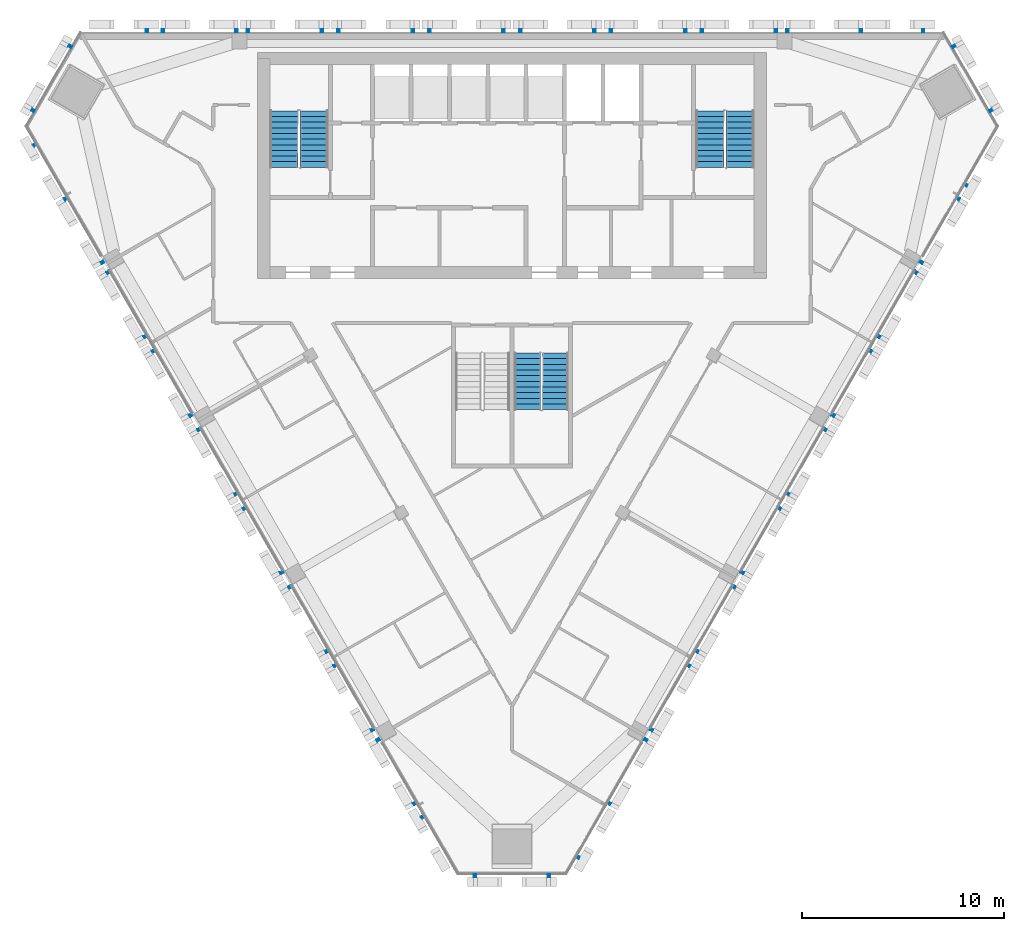
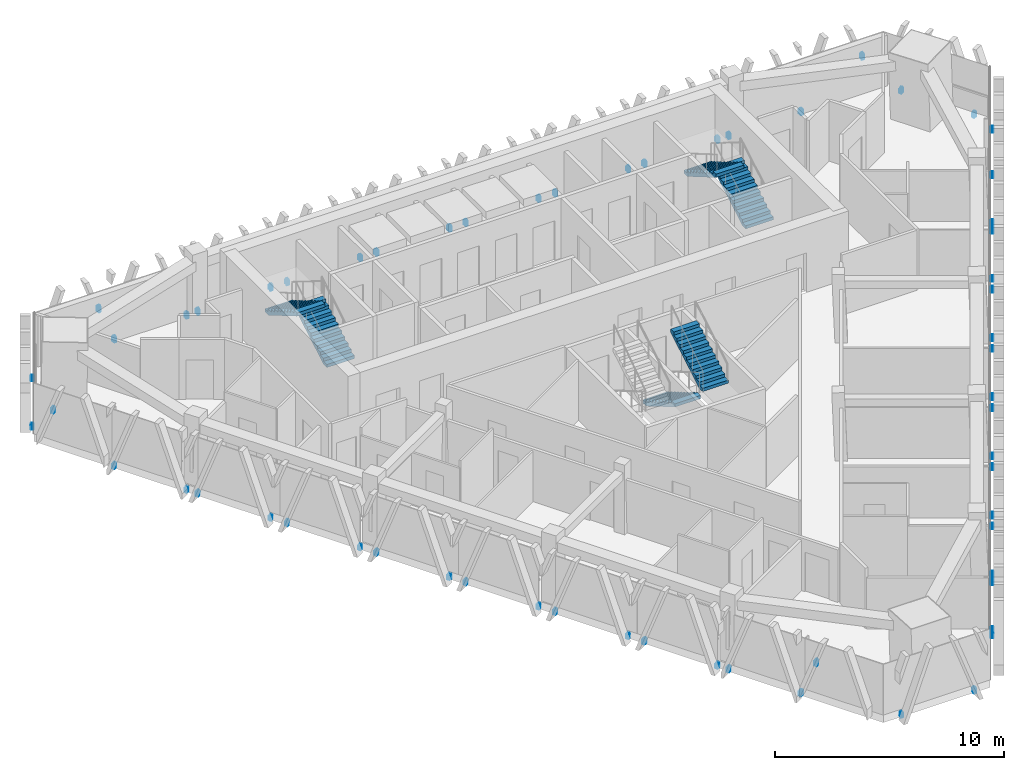
# One storey, part 11 of 14: 6 discrete accessories, 6 stair flights, 3 elements without a shape of their own.
"""IFC4 building model written with IfcOpenShell, lengths in metres."""

from ifc_helpers import new_model, si_unit, direction, frame, origin, place, context, subcontext, project, spatial, polyline, outline, extrude, source, transform, mapped, material, type_object, element, aggregate, save


model = new_model("IFC4")

# Units and contexts
model_context = context("Model", 3, precision=1e-05, world=origin(), true_north=direction((0.0, 1.0)))
body_context = subcontext(model_context, "Body", "Model", "MODEL_VIEW")
ifc_project = project(units=[si_unit("LENGTHUNIT", "METRE"), si_unit("AREAUNIT", "SQUARE_METRE"), si_unit("VOLUMEUNIT", "CUBIC_METRE"), si_unit("PLANEANGLEUNIT", "RADIAN"), si_unit("MASSUNIT", "GRAM", prefix="KILO")], contexts=[model_context])

# Site, building, storey
site_placement = place(None, origin())
site = spatial("IfcSite", under=ifc_project, at=site_placement, CompositionType="ELEMENT")
building_placement = place(site_placement, origin())
building = spatial("IfcBuilding", under=site, at=building_placement, Name="Altiplano Prism Tower", CompositionType="ELEMENT")
storey_placement = place(building_placement, frame((0.0, 0.0, 242.800048828125)))
storey = spatial("IfcBuildingStorey", under=building, at=storey_placement, Name="L62", CompositionType="ELEMENT", Elevation=242.800048828125)

# Stair, stair flights
ifc_material_1 = material(Name="Concrete C40/50", Category="concrete")
stair_type_1 = type_object("IfcStairType", Name="Exit stair 1400", PredefinedType="HALF_TURN_STAIR", material=ifc_material_1)
stair_1_placement = place(storey_placement, origin())
stair_1 = element("IfcStair", 1, at=stair_1_placement, inside=storey, type_object=stair_type_1, Name="L62 Exit Stair 1", PredefinedType="HALF_TURN_STAIR")
stair_flight_type = type_object("IfcStairFlightType", Name="Stair flight concrete 150", PredefinedType="STRAIGHT", material=ifc_material_1)
stair_flight_1_placement = place(storey_placement, frame((75.199951171875, 98.300048828125, 0.0), z_axis=(0.0, 0.0, 1.0), x_axis=(0.0, 1.0, 0.0)))
stair_flight_1 = element("IfcStairFlight", 2, at=stair_flight_1_placement, type_object=stair_flight_type, Name="ST1 flight 1", NumberOfRisers=11, NumberOfTreads=10, PredefinedType="STRAIGHT", RiserHeight=0.163636364, TreadLength=0.28, context=body_context, shape_type="SweptSolid", body=[
    extrude(outline(polyline([(0.0, 0.0), (0.0, 0.16357421875), (0.280029296875, 0.16357421875), (0.280029296875, 0.327392578125), (0.56005859375, 0.327392578125), (0.56005859375, 0.490966796875), (0.840087890625, 0.490966796875), (0.840087890625, 0.654541015625), (1.1201171875, 0.654541015625), (1.1201171875, 0.818115234375), (1.39990234375, 0.818115234375), (1.39990234375, 0.98193359375), (1.679931640625, 0.98193359375), (1.679931640625, 1.1455078125), (1.9599609375, 1.1455078125), (1.9599609375, 1.30908203125), (2.239990234375, 1.30908203125), (2.239990234375, 1.47265625), (2.52001953125, 1.47265625), (2.52001953125, 1.636474609375), (2.800048828125, 1.636474609375), (2.800048828125, 1.800048828125), (2.800048828125, 1.462646484375), (0.297119140625, 0.0), (0.0, 0.0)])), frame((0.0, 0.699951171875, 0.0), z_axis=(0.0, -1.0, 0.0), x_axis=(1.0, 0.0, 0.0)), (0.0, 0.0, 1.0), 1.39990234375),
])
stair_flight_2_placement = place(storey_placement, frame((73.699951171875, 101.10009765625, 1.800048828125), z_axis=(0.0, 0.0, 1.0), x_axis=(0.0, -1.0, 0.0)))
stair_flight_2 = element("IfcStairFlight", 3, at=stair_flight_2_placement, type_object=stair_flight_type, Name="ST1 flight 2", NumberOfRisers=11, NumberOfTreads=10, PredefinedType="STRAIGHT", RiserHeight=0.163636364, TreadLength=0.28, context=body_context, shape_type="SweptSolid", body=[
    extrude(outline(polyline([(0.0, 0.0), (0.0, 0.16357421875), (0.280029296875, 0.16357421875), (0.280029296875, 0.327392578125), (0.56005859375, 0.327392578125), (0.56005859375, 0.490966796875), (0.840087890625, 0.490966796875), (0.840087890625, 0.654541015625), (1.1201171875, 0.654541015625), (1.1201171875, 0.818115234375), (1.39990234375, 0.818115234375), (1.39990234375, 0.98193359375), (1.679931640625, 0.98193359375), (1.679931640625, 1.1455078125), (1.9599609375, 1.1455078125), (1.9599609375, 1.30908203125), (2.239990234375, 1.30908203125), (2.239990234375, 1.47265625), (2.52001953125, 1.47265625), (2.52001953125, 1.636474609375), (2.800048828125, 1.636474609375), (2.800048828125, 1.800048828125), (2.800048828125, 1.462646484375), (0.297119140625, 0.0), (0.0, 0.0)])), frame((0.0, 0.699951171875, 0.0), z_axis=(0.0, -1.0, 0.0), x_axis=(1.0, 0.0, 0.0)), (0.0, 0.0, 1.0), 1.39990234375),
])
aggregate(stair_1, [stair_flight_1, stair_flight_2])

stair_2_placement = place(storey_placement, origin())
stair_2 = element("IfcStair", 4, at=stair_2_placement, inside=storey, type_object=stair_type_1, Name="L62 Exit Stair 2", PredefinedType="HALF_TURN_STAIR")
stair_flight_3_placement = place(storey_placement, frame((96.300048828125, 98.300048828125, 0.0), z_axis=(0.0, 0.0, 1.0), x_axis=(0.0, 1.0, 0.0)))
stair_flight_3 = element("IfcStairFlight", 5, at=stair_flight_3_placement, type_object=stair_flight_type, Name="ST2 flight 1", NumberOfRisers=11, NumberOfTreads=10, PredefinedType="STRAIGHT", RiserHeight=0.163636364, TreadLength=0.28, context=body_context, shape_type="SweptSolid", body=[
    extrude(outline(polyline([(0.0, 0.0), (0.0, 0.16357421875), (0.280029296875, 0.16357421875), (0.280029296875, 0.327392578125), (0.56005859375, 0.327392578125), (0.56005859375, 0.490966796875), (0.840087890625, 0.490966796875), (0.840087890625, 0.654541015625), (1.1201171875, 0.654541015625), (1.1201171875, 0.818115234375), (1.39990234375, 0.818115234375), (1.39990234375, 0.98193359375), (1.679931640625, 0.98193359375), (1.679931640625, 1.1455078125), (1.9599609375, 1.1455078125), (1.9599609375, 1.30908203125), (2.239990234375, 1.30908203125), (2.239990234375, 1.47265625), (2.52001953125, 1.47265625), (2.52001953125, 1.636474609375), (2.800048828125, 1.636474609375), (2.800048828125, 1.800048828125), (2.800048828125, 1.462646484375), (0.297119140625, 0.0), (0.0, 0.0)])), frame((0.0, 0.699951171875, 0.0), z_axis=(0.0, -1.0, 0.0), x_axis=(1.0, 0.0, 0.0)), (0.0, 0.0, 1.0), 1.39990234375),
])
stair_flight_4_placement = place(storey_placement, frame((94.800048828125, 101.10009765625, 1.800048828125), z_axis=(0.0, 0.0, 1.0), x_axis=(0.0, -1.0, 0.0)))
stair_flight_4 = element("IfcStairFlight", 6, at=stair_flight_4_placement, type_object=stair_flight_type, Name="ST2 flight 2", NumberOfRisers=11, NumberOfTreads=10, PredefinedType="STRAIGHT", RiserHeight=0.163636364, TreadLength=0.28, context=body_context, shape_type="SweptSolid", body=[
    extrude(outline(polyline([(0.0, 0.0), (0.0, 0.16357421875), (0.280029296875, 0.16357421875), (0.280029296875, 0.327392578125), (0.56005859375, 0.327392578125), (0.56005859375, 0.490966796875), (0.840087890625, 0.490966796875), (0.840087890625, 0.654541015625), (1.1201171875, 0.654541015625), (1.1201171875, 0.818115234375), (1.39990234375, 0.818115234375), (1.39990234375, 0.98193359375), (1.679931640625, 0.98193359375), (1.679931640625, 1.1455078125), (1.9599609375, 1.1455078125), (1.9599609375, 1.30908203125), (2.239990234375, 1.30908203125), (2.239990234375, 1.47265625), (2.52001953125, 1.47265625), (2.52001953125, 1.636474609375), (2.800048828125, 1.636474609375), (2.800048828125, 1.800048828125), (2.800048828125, 1.462646484375), (0.297119140625, 0.0), (0.0, 0.0)])), frame((0.0, 0.699951171875, 0.0), z_axis=(0.0, -1.0, 0.0), x_axis=(1.0, 0.0, 0.0)), (0.0, 0.0, 1.0), 1.39990234375),
])
aggregate(stair_2, [stair_flight_3, stair_flight_4])

stair_type_2 = type_object("IfcStairType", Name="Exit stair 1300", PredefinedType="HALF_TURN_STAIR", material=ifc_material_1)
stair_3_placement = place(storey_placement, origin())
stair_3 = element("IfcStair", 7, at=stair_3_placement, inside=storey, type_object=stair_type_2, Name="L62 Exit Stair 3B", PredefinedType="HALF_TURN_STAIR")
stair_flight_5_placement = place(storey_placement, frame((85.75, 89.10009765625, 0.0), z_axis=(0.0, 0.0, 1.0), x_axis=(0.0, -1.0, 0.0)))
stair_flight_5 = element("IfcStairFlight", 8, at=stair_flight_5_placement, type_object=stair_flight_type, Name="ST3B flight 1", NumberOfRisers=11, NumberOfTreads=10, PredefinedType="STRAIGHT", RiserHeight=0.163636364, TreadLength=0.28, context=body_context, shape_type="SweptSolid", body=[
    extrude(outline(polyline([(0.0, 0.0), (0.0, 0.16357421875), (0.280029296875, 0.16357421875), (0.280029296875, 0.327392578125), (0.56005859375, 0.327392578125), (0.56005859375, 0.490966796875), (0.840087890625, 0.490966796875), (0.840087890625, 0.654541015625), (1.1201171875, 0.654541015625), (1.1201171875, 0.818115234375), (1.39990234375, 0.818115234375), (1.39990234375, 0.98193359375), (1.679931640625, 0.98193359375), (1.679931640625, 1.1455078125), (1.9599609375, 1.1455078125), (1.9599609375, 1.30908203125), (2.239990234375, 1.30908203125), (2.239990234375, 1.47265625), (2.52001953125, 1.47265625), (2.52001953125, 1.636474609375), (2.800048828125, 1.636474609375), (2.800048828125, 1.800048828125), (2.800048828125, 1.462646484375), (0.297119140625, 0.0), (0.0, 0.0)])), frame((0.0, 0.64990234375, 0.0), z_axis=(0.0, -1.0, 0.0), x_axis=(1.0, 0.0, 0.0)), (0.0, 0.0, 1.0), 1.300048828125),
])
stair_flight_6_placement = place(storey_placement, frame((87.14990234375, 86.300048828125, 1.800048828125), z_axis=(0.0, 0.0, 1.0), x_axis=(0.0, 1.0, 0.0)))
stair_flight_6 = element("IfcStairFlight", 9, at=stair_flight_6_placement, type_object=stair_flight_type, Name="ST3B flight 2", NumberOfRisers=11, NumberOfTreads=10, PredefinedType="STRAIGHT", RiserHeight=0.163636364, TreadLength=0.28, context=body_context, shape_type="SweptSolid", body=[
    extrude(outline(polyline([(0.0, 0.0), (0.0, 0.16357421875), (0.280029296875, 0.16357421875), (0.280029296875, 0.327392578125), (0.56005859375, 0.327392578125), (0.56005859375, 0.490966796875), (0.840087890625, 0.490966796875), (0.840087890625, 0.654541015625), (1.1201171875, 0.654541015625), (1.1201171875, 0.818115234375), (1.39990234375, 0.818115234375), (1.39990234375, 0.98193359375), (1.679931640625, 0.98193359375), (1.679931640625, 1.1455078125), (1.9599609375, 1.1455078125), (1.9599609375, 1.30908203125), (2.239990234375, 1.30908203125), (2.239990234375, 1.47265625), (2.52001953125, 1.47265625), (2.52001953125, 1.636474609375), (2.800048828125, 1.636474609375), (2.800048828125, 1.800048828125), (2.800048828125, 1.462646484375), (0.297119140625, 0.0), (0.0, 0.0)])), frame((0.0, 0.64990234375, 0.0), z_axis=(0.0, -1.0, 0.0), x_axis=(1.0, 0.0, 0.0)), (0.0, 0.0, 1.0), 1.300048828125),
])
aggregate(stair_3, [stair_flight_5, stair_flight_6])

# Discrete accessories
ifc_material_2 = material(Name="Stainless steel", Category="steel")
discrete_accessory_type = type_object("IfcDiscreteAccessoryType", Name="Stone fin fixing prongs", PredefinedType="USERDEFINED", material=ifc_material_2)
shared_shape_1 = source(origin(), body_context, "Body", "SweptSolid", [
    extrude(outline(polyline([(-1.21142578125, 1.934814453125), (-1.091552734375, 1.934814453125), (-1.091552734375, 2.234619140625), (-1.21142578125, 2.234619140625), (-1.21142578125, 1.934814453125)])), frame((0.0, 0.0, 0.0), z_axis=(0.0, -1.0, 0.0), x_axis=(1.0, 0.0, 0.0)), (0.0, 0.0, 1.0), 0.14990234375),
])
shared_shape_2 = source(origin(), body_context, "Body", "SweptSolid", [
    extrude(outline(polyline([(-1.878662109375, 0.06005859375), (-1.7587890625, 0.06005859375), (-1.7587890625, 0.340087890625), (-1.878662109375, 0.340087890625), (-1.878662109375, 0.06005859375)])), frame((0.0, 0.0, 0.0), z_axis=(0.0, -1.0, 0.0), x_axis=(1.0, 0.0, 0.0)), (0.0, 0.0, 1.0), 0.14990234375),
    extrude(outline(polyline([(1.7587890625, 0.06005859375), (1.878662109375, 0.06005859375), (1.878662109375, 0.340087890625), (1.7587890625, 0.340087890625), (1.7587890625, 0.06005859375)])), frame((0.0, 0.0, 0.0), z_axis=(0.0, -1.0, 0.0), x_axis=(1.0, 0.0, 0.0)), (0.0, 0.0, 1.0), 0.14990234375),
])
shared_shape_3 = source(origin(), body_context, "Body", "SweptSolid", [
    extrude(outline(polyline([(-1.8974609375, 0.06005859375), (-1.777587890625, 0.06005859375), (-1.777587890625, 0.340087890625), (-1.8974609375, 0.340087890625), (-1.8974609375, 0.06005859375)])), frame((0.0, 0.0, 0.0), z_axis=(0.0, -1.0, 0.0), x_axis=(1.0, 0.0, 0.0)), (0.0, 0.0, 1.0), 0.14990234375),
    extrude(outline(polyline([(1.777587890625, 0.06005859375), (1.8974609375, 0.06005859375), (1.8974609375, 0.340087890625), (1.777587890625, 0.340087890625), (1.777587890625, 0.06005859375)])), frame((0.0, 0.0, 0.0), z_axis=(0.0, -1.0, 0.0), x_axis=(1.0, 0.0, 0.0)), (0.0, 0.0, 1.0), 0.14990234375),
])
discrete_accessory_1_placement = place(storey_placement, origin())
element("IfcDiscreteAccessory", 10, at=discrete_accessory_1_placement, inside=storey, type_object=discrete_accessory_type, Name="Fin fixings L62 north face", ObjectType="BRACKET", PredefinedType="USERDEFINED", context=body_context, shape_type="MappedRepresentation", body=[
    mapped(shared_shape_1, transform((104.222900390625, 105.0, -0.400146484375), x_axis=(-1.0, 0.0, 0.0), y_axis=(0.0, -1.0, 0.0), z_axis=(0.0, 0.0, 1.0))),
    mapped(shared_shape_2, transform((100.474365234375, 105.0, -0.400146484375), x_axis=(-1.0, 0.0, 0.0), y_axis=(0.0, -1.0, 0.0), z_axis=(0.0, 0.0, 1.0))),
    mapped(shared_shape_3, transform((96.25, 105.0, -0.400146484375), x_axis=(-1.0, 0.0, 0.0), y_axis=(0.0, -1.0, 0.0), z_axis=(0.0, 0.0, 1.0))),
    mapped(shared_shape_3, transform((91.75, 105.0, -0.400146484375), x_axis=(-1.0, 0.0, 0.0), y_axis=(0.0, -1.0, 0.0), z_axis=(0.0, 0.0, 1.0))),
    mapped(shared_shape_3, transform((87.25, 105.0, -0.400146484375), x_axis=(-1.0, 0.0, 0.0), y_axis=(0.0, -1.0, 0.0), z_axis=(0.0, 0.0, 1.0))),
    mapped(shared_shape_3, transform((82.75, 105.0, -0.400146484375), x_axis=(-1.0, 0.0, 0.0), y_axis=(0.0, -1.0, 0.0), z_axis=(0.0, 0.0, 1.0))),
    mapped(shared_shape_3, transform((78.25, 105.0, -0.400146484375), x_axis=(-1.0, 0.0, 0.0), y_axis=(0.0, -1.0, 0.0), z_axis=(0.0, 0.0, 1.0))),
    mapped(shared_shape_3, transform((73.75, 105.0, -0.400146484375), x_axis=(-1.0, 0.0, 0.0), y_axis=(0.0, -1.0, 0.0), z_axis=(0.0, 0.0, 1.0))),
    mapped(shared_shape_2, transform((69.525634765625, 105.0, -0.400146484375), x_axis=(-1.0, 0.0, 0.0), y_axis=(0.0, -1.0, 0.0), z_axis=(0.0, 0.0, 1.0))),
    mapped(shared_shape_1, transform((65.777099609375, 105.0, -0.400146484375), x_axis=(-1.0, 0.0, 0.0), y_axis=(0.0, -1.0, 0.0), z_axis=(0.0, 0.0, 1.0))),
])
discrete_accessory_2_placement = place(storey_placement, origin())
element("IfcDiscreteAccessory", 11, at=discrete_accessory_2_placement, inside=storey, type_object=discrete_accessory_type, Name="Fin fixings L62 south-west face", ObjectType="BRACKET", PredefinedType="USERDEFINED", context=body_context, shape_type="MappedRepresentation", body=[
    mapped(shared_shape_1, transform((61.9970703125, 98.45263671875, -0.400146484375), x_axis=(0.500000003773, -0.866025401606, 0.0), y_axis=(0.866025401606, 0.500000003773, 0.0), z_axis=(0.0, 0.0, 1.0))),
    mapped(shared_shape_2, transform((63.871337890625, 95.206298828125, -0.400146484375), x_axis=(0.500000003773, -0.866025401606, 0.0), y_axis=(0.866025401606, 0.500000003773, 0.0), z_axis=(0.0, 0.0, 1.0))),
    mapped(shared_shape_3, transform((65.9833984375, 91.5478515625, -0.400146484375), x_axis=(0.500000003773, -0.866025401606, 0.0), y_axis=(0.866025401606, 0.500000003773, 0.0), z_axis=(0.0, 0.0, 1.0))),
    mapped(shared_shape_3, transform((68.2333984375, 87.650634765625, -0.400146484375), x_axis=(0.500000003773, -0.866025401606, 0.0), y_axis=(0.866025401606, 0.500000003773, 0.0), z_axis=(0.0, 0.0, 1.0))),
    mapped(shared_shape_3, transform((70.4833984375, 83.753662109375, -0.400146484375), x_axis=(0.500000003773, -0.866025401606, 0.0), y_axis=(0.866025401606, 0.500000003773, 0.0), z_axis=(0.0, 0.0, 1.0))),
    mapped(shared_shape_3, transform((72.7333984375, 79.8564453125, -0.400146484375), x_axis=(0.500000003773, -0.866025401606, 0.0), y_axis=(0.866025401606, 0.500000003773, 0.0), z_axis=(0.0, 0.0, 1.0))),
    mapped(shared_shape_3, transform((74.9833984375, 75.95947265625, -0.400146484375), x_axis=(0.500000003773, -0.866025401606, 0.0), y_axis=(0.866025401606, 0.500000003773, 0.0), z_axis=(0.0, 0.0, 1.0))),
    mapped(shared_shape_3, transform((77.2333984375, 72.062255859375, -0.400146484375), x_axis=(0.500000003773, -0.866025401606, 0.0), y_axis=(0.866025401606, 0.500000003773, 0.0), z_axis=(0.0, 0.0, 1.0))),
    mapped(shared_shape_2, transform((79.345458984375, 68.404052734375, -0.400146484375), x_axis=(0.500000003773, -0.866025401606, 0.0), y_axis=(0.866025401606, 0.500000003773, 0.0), z_axis=(0.0, 0.0, 1.0))),
    mapped(shared_shape_1, transform((81.2197265625, 65.15771484375, -0.400146484375), x_axis=(0.500000003773, -0.866025401606, 0.0), y_axis=(0.866025401606, 0.500000003773, 0.0), z_axis=(0.0, 0.0, 1.0))),
])
discrete_accessory_3_placement = place(storey_placement, origin())
element("IfcDiscreteAccessory", 12, at=discrete_accessory_3_placement, inside=storey, type_object=discrete_accessory_type, Name="Fin fixings L62 south-east face", ObjectType="BRACKET", PredefinedType="USERDEFINED", context=body_context, shape_type="MappedRepresentation", body=[
    mapped(shared_shape_1, transform((88.7802734375, 65.15771484375, -0.400146484375), x_axis=(0.500000003773, 0.866025401606, 0.0), y_axis=(-0.866025401606, 0.500000003773, 0.0), z_axis=(0.0, 0.0, 1.0))),
    mapped(shared_shape_2, transform((90.654541015625, 68.404052734375, -0.400146484375), x_axis=(0.500000003773, 0.866025401606, 0.0), y_axis=(-0.866025401606, 0.500000003773, 0.0), z_axis=(0.0, 0.0, 1.0))),
    mapped(shared_shape_3, transform((92.7666015625, 72.062255859375, -0.400146484375), x_axis=(0.500000003773, 0.866025401606, 0.0), y_axis=(-0.866025401606, 0.500000003773, 0.0), z_axis=(0.0, 0.0, 1.0))),
    mapped(shared_shape_3, transform((95.0166015625, 75.95947265625, -0.400146484375), x_axis=(0.500000003773, 0.866025401606, 0.0), y_axis=(-0.866025401606, 0.500000003773, 0.0), z_axis=(0.0, 0.0, 1.0))),
    mapped(shared_shape_3, transform((97.2666015625, 79.8564453125, -0.400146484375), x_axis=(0.500000003773, 0.866025401606, 0.0), y_axis=(-0.866025401606, 0.500000003773, 0.0), z_axis=(0.0, 0.0, 1.0))),
    mapped(shared_shape_3, transform((99.5166015625, 83.753662109375, -0.400146484375), x_axis=(0.500000003773, 0.866025401606, 0.0), y_axis=(-0.866025401606, 0.500000003773, 0.0), z_axis=(0.0, 0.0, 1.0))),
    mapped(shared_shape_3, transform((101.7666015625, 87.650634765625, -0.400146484375), x_axis=(0.500000003773, 0.866025401606, 0.0), y_axis=(-0.866025401606, 0.500000003773, 0.0), z_axis=(0.0, 0.0, 1.0))),
    mapped(shared_shape_3, transform((104.0166015625, 91.5478515625, -0.400146484375), x_axis=(0.500000003773, 0.866025401606, 0.0), y_axis=(-0.866025401606, 0.500000003773, 0.0), z_axis=(0.0, 0.0, 1.0))),
    mapped(shared_shape_2, transform((106.128662109375, 95.206298828125, -0.400146484375), x_axis=(0.500000003773, 0.866025401606, 0.0), y_axis=(-0.866025401606, 0.500000003773, 0.0), z_axis=(0.0, 0.0, 1.0))),
    mapped(shared_shape_1, transform((108.0029296875, 98.45263671875, -0.400146484375), x_axis=(0.500000003773, 0.866025401606, 0.0), y_axis=(-0.866025401606, 0.500000003773, 0.0), z_axis=(0.0, 0.0, 1.0))),
])
discrete_accessory_4_placement = place(storey_placement, origin())
element("IfcDiscreteAccessory", 13, at=discrete_accessory_4_placement, inside=storey, type_object=discrete_accessory_type, Name="Fin fixings L62 north-west chamfer", ObjectType="BRACKET", PredefinedType="USERDEFINED", context=body_context, shape_type="MappedRepresentation", body=[
    mapped(shared_shape_3, transform((62.25634765625, 102.667724609375, -0.400146484375), x_axis=(-0.500000014304, -0.866025395526, 0.0), y_axis=(0.866025395526, -0.500000014304, 0.0), z_axis=(0.0, 0.0, 1.0))),
])
discrete_accessory_5_placement = place(storey_placement, origin())
element("IfcDiscreteAccessory", 14, at=discrete_accessory_5_placement, inside=storey, type_object=discrete_accessory_type, Name="Fin fixings L62 south chamfer", ObjectType="BRACKET", PredefinedType="USERDEFINED", context=body_context, shape_type="MappedRepresentation", body=[
    mapped(shared_shape_3, transform((85.0, 63.274658203125, -0.400146484375), x_axis=(1.0, 0.0, 0.0), y_axis=(0.0, 1.0, 0.0), z_axis=(0.0, 0.0, 1.0))),
])
discrete_accessory_6_placement = place(storey_placement, origin())
element("IfcDiscreteAccessory", 15, at=discrete_accessory_6_placement, inside=storey, type_object=discrete_accessory_type, Name="Fin fixings L62 north-east chamfer", ObjectType="BRACKET", PredefinedType="USERDEFINED", context=body_context, shape_type="MappedRepresentation", body=[
    mapped(shared_shape_3, transform((107.74365234375, 102.667724609375, -0.400146484375), x_axis=(-0.500000014304, 0.866025395526, 0.0), y_axis=(-0.866025395526, -0.500000014304, 0.0), z_axis=(0.0, 0.0, 1.0))),
])

save(model, "model.ifc")
